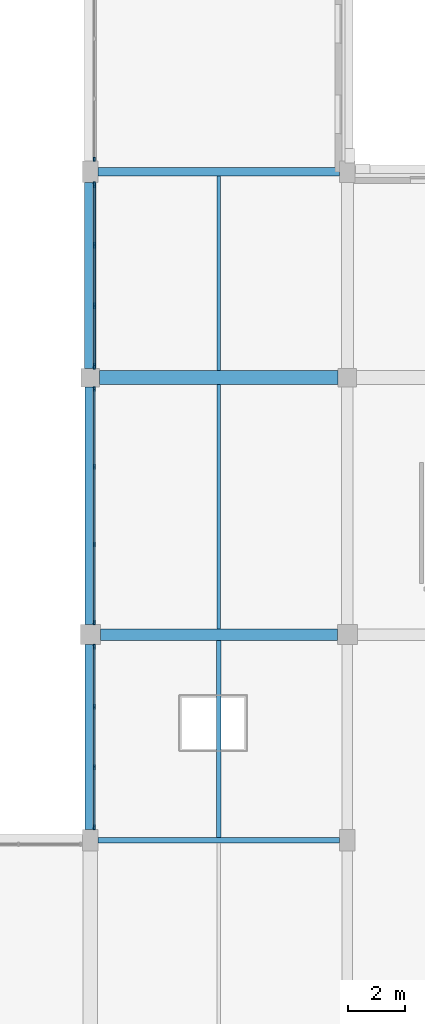
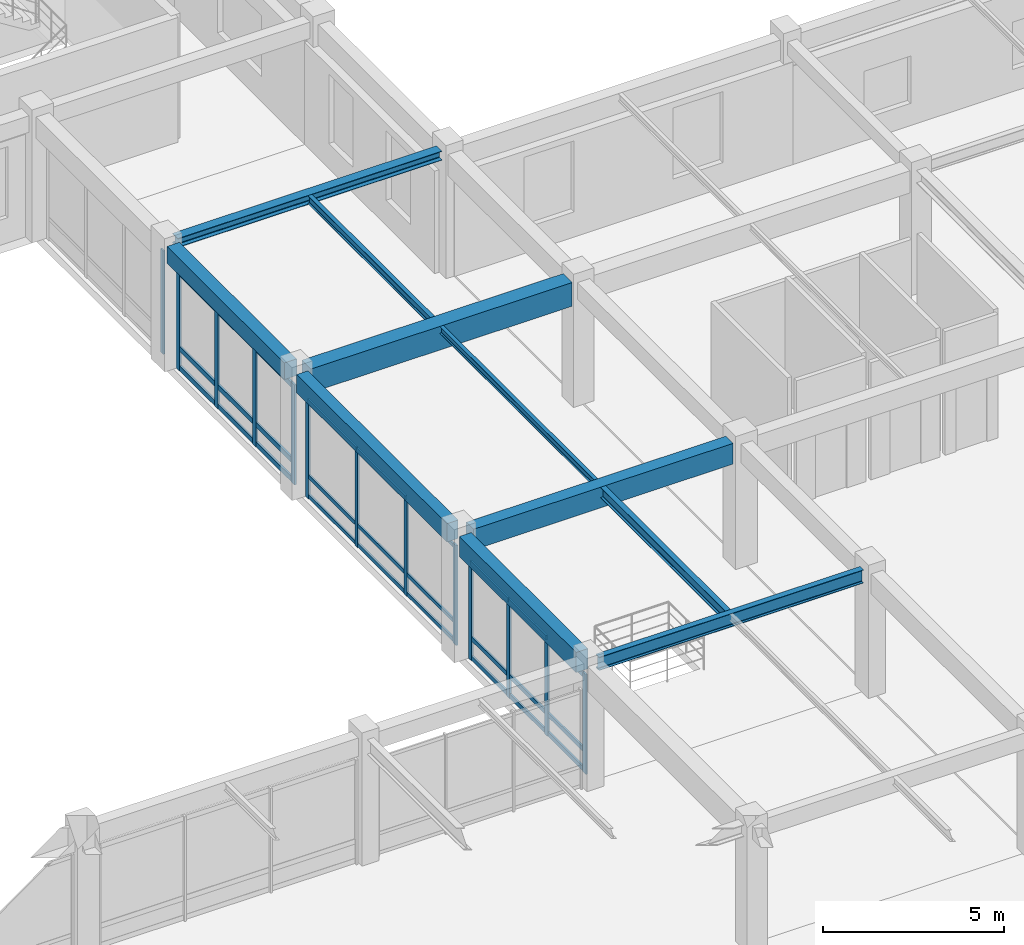
# One storey, part 14 of 62: 40 members, 10 beams, 4 elements without a shape of their own.
"""IFC4 building model written with IfcOpenShell, lengths in metres."""

from ifc_helpers import new_model, si_unit, direction, frame, origin, origin_2d, place, context, subcontext, project, spatial, rectangle, i_section, extrude, material, material_profile, profile_set, type_object, element, aggregate, save


model = new_model("IFC4")

# Units and contexts
model_context = context("Model", 3, precision=1e-05, world=origin(), true_north=direction((0.0, 1.0)))
body_context = subcontext(model_context, "Body", "Model", "MODEL_VIEW")
ifc_project = project(units=[si_unit("LENGTHUNIT", "METRE"), si_unit("AREAUNIT", "SQUARE_METRE"), si_unit("VOLUMEUNIT", "CUBIC_METRE"), si_unit("PLANEANGLEUNIT", "RADIAN"), si_unit("MASSUNIT", "GRAM", prefix="KILO")], contexts=[model_context])

# Site, building, storey
site_placement = place(None, origin())
site = spatial("IfcSite", under=ifc_project, at=site_placement, CompositionType="ELEMENT")
building_placement = place(site_placement, origin())
building = spatial("IfcBuilding", under=site, at=building_placement, Name="Clarverna Civic Hall", CompositionType="ELEMENT")
storey_placement = place(building_placement, frame((0.0, 0.0, 5.10009765625)))
storey = spatial("IfcBuildingStorey", under=building, at=storey_placement, Name="L01", CompositionType="ELEMENT", Elevation=5.10009765625)

# Beams
ifc_material_1 = material(Name="Concrete C35/45", Category="concrete")
ifc_material_profile_1 = material_profile(ifc_material_1, rectangle(XDim=0.5, YDim=0.800048828125, at=origin_2d()), Name="RC 500x800")
ifc_profile_set_1 = profile_set([ifc_material_profile_1], Name="Concrete C35/45")
beam_type_1 = type_object("IfcBeamType", Name="B-RC14", PredefinedType="BEAM", material=ifc_profile_set_1)
beam_1_placement = place(storey_placement, frame((57.925048828125, 87.800048828125, 3.77978515625), z_axis=(1.0, 0.0, 0.0), x_axis=(0.0, 1.0, 0.0)))
element("IfcBeam", 1, at=beam_1_placement, inside=storey, type_object=beam_type_1, Name="B-RC14-023", PredefinedType="BEAM", context=body_context, shape_type="SweptSolid", body=[
    extrude(rectangle(XDim=0.5, YDim=0.800048828125, at=origin_2d()), origin(), (0.0, 0.0, 1.0), 8.349853515625),
])
ifc_material_profile_2 = material_profile(ifc_material_1, rectangle(XDim=0.39990234375, YDim=0.699951171875, at=origin_2d()), Name="RC 400x700")
ifc_profile_set_2 = profile_set([ifc_material_profile_2], Name="Concrete C35/45")
beam_type_2 = type_object("IfcBeamType", Name="B-RC5", PredefinedType="BEAM", material=ifc_profile_set_2)
beam_2_placement = place(storey_placement, frame((57.949951171875, 78.800048828125, 3.829833984375), z_axis=(1.0, 0.0, 0.0), x_axis=(0.0, 1.0, 0.0)))
element("IfcBeam", 2, at=beam_2_placement, inside=storey, type_object=beam_type_2, Name="B-RC5-024", PredefinedType="BEAM", context=body_context, shape_type="SweptSolid", body=[
    extrude(rectangle(XDim=0.39990234375, YDim=0.699951171875, at=origin_2d()), origin(), (0.0, 0.0, 1.0), 8.300048828125),
])
ifc_material_profile_3 = material_profile(ifc_material_1, rectangle(XDim=0.3798828125, YDim=0.679931640625, at=origin_2d()), Name="RC 380x680")
ifc_profile_set_3 = profile_set([ifc_material_profile_3], Name="Concrete C35/45")
beam_type_3 = type_object("IfcBeamType", Name="B-SP2", PredefinedType="SPANDREL", material=ifc_profile_set_3)
beam_3_placement = place(storey_placement, frame((57.60009765625, 71.97509765625, 3.8798828125), z_axis=(0.0, 1.0, 0.0), x_axis=(-1.0, 0.0, 0.0)))
element("IfcBeam", 3, at=beam_3_placement, inside=storey, type_object=beam_type_3, Name="B-SP2-075", PredefinedType="SPANDREL", context=body_context, shape_type="SweptSolid", body=[
    extrude(rectangle(XDim=0.3798828125, YDim=0.679931640625, at=origin_2d()), origin(), (0.0, 0.0, 1.0), 6.474853515625),
])
ifc_material_profile_4 = material_profile(ifc_material_1, rectangle(XDim=0.360107421875, YDim=0.6201171875, at=origin_2d()), Name="RC 360x620")
ifc_profile_set_4 = profile_set([ifc_material_profile_4], Name="Concrete C35/45")
beam_type_4 = type_object("IfcBeamType", Name="B-SP3", PredefinedType="SPANDREL", material=ifc_profile_set_4)
beam_4_placement = place(storey_placement, frame((57.60009765625, 79.14990234375, 3.909912109375), z_axis=(0.0, 1.0, 0.0), x_axis=(-1.0, 0.0, 0.0)))
element("IfcBeam", 4, at=beam_4_placement, inside=storey, type_object=beam_type_4, Name="B-SP3-075", PredefinedType="SPANDREL", context=body_context, shape_type="SweptSolid", body=[
    extrude(rectangle(XDim=0.360107421875, YDim=0.6201171875, at=origin_2d()), origin(), (0.0, 0.0, 1.0), 8.3251953125),
])
ifc_material_profile_5 = material_profile(ifc_material_1, rectangle(XDim=0.39990234375, YDim=0.56005859375, at=origin_2d()), Name="RC 400x560")
ifc_profile_set_5 = profile_set([ifc_material_profile_5], Name="Concrete C35/45")
beam_type_5 = type_object("IfcBeamType", Name="B-SP4", PredefinedType="SPANDREL", material=ifc_profile_set_5)
beam_5_placement = place(storey_placement, frame((57.60009765625, 88.125, 3.93994140625), z_axis=(0.0, 1.0, 0.0), x_axis=(-1.0, 0.0, 0.0)))
element("IfcBeam", 5, at=beam_5_placement, inside=storey, type_object=beam_type_5, Name="B-SP4-072", PredefinedType="SPANDREL", context=body_context, shape_type="SweptSolid", body=[
    extrude(rectangle(XDim=0.39990234375, YDim=0.56005859375, at=origin_2d()), origin(), (0.0, 0.0, 1.0), 6.5),
])
ifc_material_2 = material(Name="Steel S355", Category="steel")
ifc_material_profile_6 = material_profile(ifc_material_2, i_section(OverallWidth=0.18994140625, OverallDepth=0.449951171875, WebThickness=0.009521484375, FlangeThickness=0.0146484375, FilletRadius=0.02099609375, at=origin_2d()), Name="IPE 450")
ifc_profile_set_6 = profile_set([ifc_material_profile_6], Name="Steel S355")
beam_type_6 = type_object("IfcBeamType", Name="B-ST13", PredefinedType="BEAM", material=ifc_profile_set_6)
beam_6_placement = place(storey_placement, frame((57.875, 71.60009765625, 3.954833984375), z_axis=(1.0, 0.0, 0.0), x_axis=(0.0, 1.0, 0.0)))
element("IfcBeam", 6, at=beam_6_placement, inside=storey, type_object=beam_type_6, Name="B-ST13-006", PredefinedType="BEAM", context=body_context, shape_type="SweptSolid", body=[
    extrude(i_section(OverallWidth=0.18994140625, OverallDepth=0.449951171875, WebThickness=0.009521484375, FlangeThickness=0.0146484375, FilletRadius=0.02099609375, at=origin_2d()), origin(), (0.0, 0.0, 1.0), 8.449951171875),
])
ifc_material_profile_7 = material_profile(ifc_material_2, i_section(OverallWidth=0.300048828125, OverallDepth=0.31005859375, WebThickness=0.009033203125, FlangeThickness=0.015380859375, FilletRadius=0.027099609375, at=origin_2d()), Name="HEA 320")
ifc_profile_set_7 = profile_set([ifc_material_profile_7], Name="Steel S355")
beam_type_7 = type_object("IfcBeamType", Name="B-ST9", PredefinedType="BEAM", material=ifc_profile_set_7)
beam_7_placement = place(storey_placement, frame((57.875, 95.0, 4.02490234375), z_axis=(1.0, 0.0, 0.0), x_axis=(0.0, 1.0, 0.0)))
element("IfcBeam", 7, at=beam_7_placement, inside=storey, type_object=beam_type_7, Name="B-ST9-052", PredefinedType="BEAM", context=body_context, shape_type="SweptSolid", body=[
    extrude(i_section(OverallWidth=0.300048828125, OverallDepth=0.31005859375, WebThickness=0.009033203125, FlangeThickness=0.015380859375, FilletRadius=0.027099609375, at=origin_2d()), origin(), (0.0, 0.0, 1.0), 8.449951171875),
])

# Curtain wall, members
ifc_material_3 = material(Name="Anodised Bronze Architectural Aluminium", Category="aluminium")
curtain_wall_type = type_object("IfcCurtainWallType", Name="CW-04", PredefinedType="USERDEFINED", material=ifc_material_3)
curtain_wall_1_placement = place(storey_placement, origin())
curtain_wall_1 = element("IfcCurtainWall", 8, at=curtain_wall_1_placement, inside=storey, type_object=curtain_wall_type, Name="CW-04-023", ObjectType="UNITISED CURTAIN WALL", PredefinedType="USERDEFINED")
ifc_material_profile_8 = material_profile(ifc_material_3, rectangle(XDim=0.06005859375, YDim=0.179931640625, at=origin_2d()), Name="BRONZE 60x180")
ifc_profile_set_8 = profile_set([ifc_material_profile_8], Name="Anodised Bronze Architectural Aluminium")
member_type_1 = type_object("IfcMemberType", Name="CWM-01", PredefinedType="MULLION", material=ifc_profile_set_8)
member_1_placement = place(storey_placement, frame((57.739990234375, 72.048095703125, 0.0), z_axis=(0.0, 0.0, 1.0), x_axis=(1.0, 0.0, 0.0)))
member_1 = element("IfcMember", 9, at=member_1_placement, type_object=member_type_1, Name="CWM-01-063", PredefinedType="MULLION", context=body_context, shape_type="SweptSolid", body=[
    extrude(rectangle(XDim=0.06005859375, YDim=0.179931640625, at=origin_2d()), origin(), (0.0, 0.0, 1.0), 3.369873046875),
])
member_2_placement = place(storey_placement, frame((57.739990234375, 74.15771484375, 0.0), z_axis=(0.0, 0.0, 1.0), x_axis=(1.0, 0.0, 0.0)))
member_2 = element("IfcMember", 10, at=member_2_placement, type_object=member_type_1, Name="CWM-01-064", PredefinedType="MULLION", context=body_context, shape_type="SweptSolid", body=[
    extrude(rectangle(XDim=0.06005859375, YDim=0.179931640625, at=origin_2d()), origin(), (0.0, 0.0, 1.0), 3.369873046875),
])
member_3_placement = place(storey_placement, frame((57.739990234375, 76.267333984375, 0.0), z_axis=(0.0, 0.0, 1.0), x_axis=(1.0, 0.0, 0.0)))
member_3 = element("IfcMember", 11, at=member_3_placement, type_object=member_type_1, Name="CWM-01-065", PredefinedType="MULLION", context=body_context, shape_type="SweptSolid", body=[
    extrude(rectangle(XDim=0.06005859375, YDim=0.179931640625, at=origin_2d()), origin(), (0.0, 0.0, 1.0), 3.369873046875),
])
member_4_placement = place(storey_placement, frame((57.739990234375, 78.376953125, 0.0), z_axis=(0.0, 0.0, 1.0), x_axis=(1.0, 0.0, 0.0)))
member_4 = element("IfcMember", 12, at=member_4_placement, type_object=member_type_1, Name="CWM-01-066", PredefinedType="MULLION", context=body_context, shape_type="SweptSolid", body=[
    extrude(rectangle(XDim=0.06005859375, YDim=0.179931640625, at=origin_2d()), origin(), (0.0, 0.0, 1.0), 3.369873046875),
])

curtain_wall_2_placement = place(storey_placement, origin())
curtain_wall_2 = element("IfcCurtainWall", 13, at=curtain_wall_2_placement, inside=storey, type_object=curtain_wall_type, Name="CW-04-024", ObjectType="UNITISED CURTAIN WALL", PredefinedType="USERDEFINED")
ifc_material_profile_9 = material_profile(ifc_material_3, rectangle(XDim=0.06005859375, YDim=0.159912109375, at=origin_2d()), Name="BRONZE 60x160")
ifc_profile_set_9 = profile_set([ifc_material_profile_9], Name="Anodised Bronze Architectural Aluminium")
member_type_2 = type_object("IfcMemberType", Name="CWM-02", PredefinedType="MULLION", material=ifc_profile_set_9)
member_5_placement = place(storey_placement, frame((57.739990234375, 79.222900390625, 0.0), z_axis=(0.0, 0.0, 1.0), x_axis=(1.0, 0.0, 0.0)))
member_5 = element("IfcMember", 14, at=member_5_placement, type_object=member_type_2, Name="CWM-02-075", PredefinedType="MULLION", context=body_context, shape_type="SweptSolid", body=[
    extrude(rectangle(XDim=0.06005859375, YDim=0.159912109375, at=origin_2d()), origin(), (0.0, 0.0, 1.0), 3.3798828125),
])
member_6_placement = place(storey_placement, frame((57.739990234375, 81.94921875, 0.0), z_axis=(0.0, 0.0, 1.0), x_axis=(1.0, 0.0, 0.0)))
member_6 = element("IfcMember", 15, at=member_6_placement, type_object=member_type_2, Name="CWM-02-076", PredefinedType="MULLION", context=body_context, shape_type="SweptSolid", body=[
    extrude(rectangle(XDim=0.06005859375, YDim=0.159912109375, at=origin_2d()), origin(), (0.0, 0.0, 1.0), 3.3798828125),
])
member_7_placement = place(storey_placement, frame((57.739990234375, 84.67578125, 0.0), z_axis=(0.0, 0.0, 1.0), x_axis=(1.0, 0.0, 0.0)))
member_7 = element("IfcMember", 16, at=member_7_placement, type_object=member_type_2, Name="CWM-02-077", PredefinedType="MULLION", context=body_context, shape_type="SweptSolid", body=[
    extrude(rectangle(XDim=0.06005859375, YDim=0.159912109375, at=origin_2d()), origin(), (0.0, 0.0, 1.0), 3.3798828125),
])
member_8_placement = place(storey_placement, frame((57.739990234375, 87.402099609375, 0.0), z_axis=(0.0, 0.0, 1.0), x_axis=(1.0, 0.0, 0.0)))
member_8 = element("IfcMember", 17, at=member_8_placement, type_object=member_type_2, Name="CWM-02-078", PredefinedType="MULLION", context=body_context, shape_type="SweptSolid", body=[
    extrude(rectangle(XDim=0.06005859375, YDim=0.159912109375, at=origin_2d()), origin(), (0.0, 0.0, 1.0), 3.3798828125),
])

curtain_wall_3_placement = place(storey_placement, origin())
curtain_wall_3 = element("IfcCurtainWall", 18, at=curtain_wall_3_placement, inside=storey, type_object=curtain_wall_type, Name="CW-04-025", ObjectType="UNITISED CURTAIN WALL", PredefinedType="USERDEFINED")
ifc_material_profile_10 = material_profile(ifc_material_3, rectangle(XDim=0.06494140625, YDim=0.199951171875, at=origin_2d()), Name="BRONZE 65x200")
ifc_profile_set_10 = profile_set([ifc_material_profile_10], Name="Anodised Bronze Architectural Aluminium")
member_type_3 = type_object("IfcMemberType", Name="CWM-03", PredefinedType="MULLION", material=ifc_profile_set_10)
member_9_placement = place(storey_placement, frame((57.739990234375, 88.197998046875, 0.0), z_axis=(0.0, 0.0, 1.0), x_axis=(1.0, 0.0, 0.0)))
member_9 = element("IfcMember", 19, at=member_9_placement, type_object=member_type_3, Name="CWM-03-063", PredefinedType="MULLION", context=body_context, shape_type="SweptSolid", body=[
    extrude(rectangle(XDim=0.06494140625, YDim=0.199951171875, at=origin_2d()), origin(), (0.0, 0.0, 1.0), 3.3798828125),
])
member_10_placement = place(storey_placement, frame((57.739990234375, 90.31591796875, 0.0), z_axis=(0.0, 0.0, 1.0), x_axis=(1.0, 0.0, 0.0)))
member_10 = element("IfcMember", 20, at=member_10_placement, type_object=member_type_3, Name="CWM-03-064", PredefinedType="MULLION", context=body_context, shape_type="SweptSolid", body=[
    extrude(rectangle(XDim=0.06494140625, YDim=0.199951171875, at=origin_2d()), origin(), (0.0, 0.0, 1.0), 3.3798828125),
])
member_11_placement = place(storey_placement, frame((57.739990234375, 92.43408203125, 0.0), z_axis=(0.0, 0.0, 1.0), x_axis=(1.0, 0.0, 0.0)))
member_11 = element("IfcMember", 21, at=member_11_placement, type_object=member_type_3, Name="CWM-03-065", PredefinedType="MULLION", context=body_context, shape_type="SweptSolid", body=[
    extrude(rectangle(XDim=0.06494140625, YDim=0.199951171875, at=origin_2d()), origin(), (0.0, 0.0, 1.0), 3.3798828125),
])
member_12_placement = place(storey_placement, frame((57.739990234375, 94.552001953125, 0.0), z_axis=(0.0, 0.0, 1.0), x_axis=(1.0, 0.0, 0.0)))
member_12 = element("IfcMember", 22, at=member_12_placement, type_object=member_type_3, Name="CWM-03-066", PredefinedType="MULLION", context=body_context, shape_type="SweptSolid", body=[
    extrude(rectangle(XDim=0.06494140625, YDim=0.199951171875, at=origin_2d()), origin(), (0.0, 0.0, 1.0), 3.3798828125),
])

# Curtain wall, member
curtain_wall_4_placement = place(storey_placement, origin())
curtain_wall_4 = element("IfcCurtainWall", 23, at=curtain_wall_4_placement, inside=storey, type_object=curtain_wall_type, Name="CW-04-026", ObjectType="UNITISED CURTAIN WALL", PredefinedType="USERDEFINED")
ifc_material_profile_11 = material_profile(ifc_material_3, rectangle(XDim=0.054931640625, YDim=0.139892578125, at=origin_2d()), Name="BRONZE 55x140")
ifc_profile_set_11 = profile_set([ifc_material_profile_11], Name="Anodised Bronze Architectural Aluminium")
member_type_4 = type_object("IfcMemberType", Name="CWM-04", PredefinedType="MULLION", material=ifc_profile_set_11)
member_13_placement = place(storey_placement, frame((57.739990234375, 95.447998046875, 0.0), z_axis=(0.0, 0.0, 1.0), x_axis=(1.0, 0.0, 0.0)))
member_13 = element("IfcMember", 24, at=member_13_placement, type_object=member_type_4, Name="CWM-04-077", PredefinedType="MULLION", context=body_context, shape_type="SweptSolid", body=[
    extrude(rectangle(XDim=0.054931640625, YDim=0.139892578125, at=origin_2d()), origin(), (0.0, 0.0, 1.0), 3.5),
])
aggregate(curtain_wall_4, [member_13])

# Member
ifc_material_profile_12 = material_profile(ifc_material_3, rectangle(XDim=0.06005859375, YDim=0.14990234375, at=origin_2d()), Name="BRONZE 60x150")
ifc_profile_set_12 = profile_set([ifc_material_profile_12], Name="Anodised Bronze Architectural Aluminium")
member_type_5 = type_object("IfcMemberType", Name="CWT-01", PredefinedType="USERDEFINED", material=ifc_profile_set_12)
member_14_placement = place(storey_placement, frame((57.739990234375, 72.06298828125, 0.094970703125), z_axis=(0.0, 1.0, 0.0), x_axis=(-1.0, 0.0, 0.0)))
member_14 = element("IfcMember", 25, at=member_14_placement, type_object=member_type_5, Name="CWT-01-130", ObjectType="TRANSOM", PredefinedType="USERDEFINED", context=body_context, shape_type="SweptSolid", body=[
    extrude(rectangle(XDim=0.06005859375, YDim=0.14990234375, at=origin_2d()), origin(), (0.0, 0.0, 1.0), 2.07958984375),
])

member_15_placement = place(storey_placement, frame((57.739990234375, 72.06298828125, 0.75), z_axis=(0.0, 1.0, 0.0), x_axis=(-1.0, 0.0, 0.0)))
member_15 = element("IfcMember", 26, at=member_15_placement, type_object=member_type_5, Name="CWT-01-131", ObjectType="TRANSOM", PredefinedType="USERDEFINED", context=body_context, shape_type="SweptSolid", body=[
    extrude(rectangle(XDim=0.06005859375, YDim=0.14990234375, at=origin_2d()), origin(), (0.0, 0.0, 1.0), 2.07958984375),
])

member_16_placement = place(storey_placement, frame((57.739990234375, 72.06298828125, 3.27490234375), z_axis=(0.0, 1.0, 0.0), x_axis=(-1.0, 0.0, 0.0)))
member_16 = element("IfcMember", 27, at=member_16_placement, type_object=member_type_5, Name="CWT-01-132", ObjectType="TRANSOM", PredefinedType="USERDEFINED", context=body_context, shape_type="SweptSolid", body=[
    extrude(rectangle(XDim=0.06005859375, YDim=0.14990234375, at=origin_2d()), origin(), (0.0, 0.0, 1.0), 2.07958984375),
])

member_17_placement = place(storey_placement, frame((57.739990234375, 74.172607421875, 0.094970703125), z_axis=(0.0, 1.0, 0.0), x_axis=(-1.0, 0.0, 0.0)))
member_17 = element("IfcMember", 28, at=member_17_placement, type_object=member_type_5, Name="CWT-01-133", ObjectType="TRANSOM", PredefinedType="USERDEFINED", context=body_context, shape_type="SweptSolid", body=[
    extrude(rectangle(XDim=0.06005859375, YDim=0.14990234375, at=origin_2d()), origin(), (0.0, 0.0, 1.0), 2.07958984375),
])

member_18_placement = place(storey_placement, frame((57.739990234375, 74.172607421875, 0.75), z_axis=(0.0, 1.0, 0.0), x_axis=(-1.0, 0.0, 0.0)))
member_18 = element("IfcMember", 29, at=member_18_placement, type_object=member_type_5, Name="CWT-01-134", ObjectType="TRANSOM", PredefinedType="USERDEFINED", context=body_context, shape_type="SweptSolid", body=[
    extrude(rectangle(XDim=0.06005859375, YDim=0.14990234375, at=origin_2d()), origin(), (0.0, 0.0, 1.0), 2.07958984375),
])

member_19_placement = place(storey_placement, frame((57.739990234375, 74.172607421875, 3.27490234375), z_axis=(0.0, 1.0, 0.0), x_axis=(-1.0, 0.0, 0.0)))
member_19 = element("IfcMember", 30, at=member_19_placement, type_object=member_type_5, Name="CWT-01-135", ObjectType="TRANSOM", PredefinedType="USERDEFINED", context=body_context, shape_type="SweptSolid", body=[
    extrude(rectangle(XDim=0.06005859375, YDim=0.14990234375, at=origin_2d()), origin(), (0.0, 0.0, 1.0), 2.07958984375),
])

member_20_placement = place(storey_placement, frame((57.739990234375, 76.2822265625, 0.094970703125), z_axis=(0.0, 1.0, 0.0), x_axis=(-1.0, 0.0, 0.0)))
member_20 = element("IfcMember", 31, at=member_20_placement, type_object=member_type_5, Name="CWT-01-136", ObjectType="TRANSOM", PredefinedType="USERDEFINED", context=body_context, shape_type="SweptSolid", body=[
    extrude(rectangle(XDim=0.06005859375, YDim=0.14990234375, at=origin_2d()), origin(), (0.0, 0.0, 1.0), 2.079833984375),
])

member_21_placement = place(storey_placement, frame((57.739990234375, 76.2822265625, 0.75), z_axis=(0.0, 1.0, 0.0), x_axis=(-1.0, 0.0, 0.0)))
member_21 = element("IfcMember", 32, at=member_21_placement, type_object=member_type_5, Name="CWT-01-137", ObjectType="TRANSOM", PredefinedType="USERDEFINED", context=body_context, shape_type="SweptSolid", body=[
    extrude(rectangle(XDim=0.06005859375, YDim=0.14990234375, at=origin_2d()), origin(), (0.0, 0.0, 1.0), 2.079833984375),
])

member_22_placement = place(storey_placement, frame((57.739990234375, 76.2822265625, 3.27490234375), z_axis=(0.0, 1.0, 0.0), x_axis=(-1.0, 0.0, 0.0)))
member_22 = element("IfcMember", 33, at=member_22_placement, type_object=member_type_5, Name="CWT-01-138", ObjectType="TRANSOM", PredefinedType="USERDEFINED", context=body_context, shape_type="SweptSolid", body=[
    extrude(rectangle(XDim=0.06005859375, YDim=0.14990234375, at=origin_2d()), origin(), (0.0, 0.0, 1.0), 2.079833984375),
])

aggregate(curtain_wall_1, [member_1, member_2, member_3, member_4, member_14, member_15, member_16, member_17, member_18, member_19, member_20, member_21, member_22])

ifc_material_profile_13 = material_profile(ifc_material_3, rectangle(XDim=0.06005859375, YDim=0.1298828125, at=origin_2d()), Name="BRONZE 60x130")
ifc_profile_set_13 = profile_set([ifc_material_profile_13], Name="Anodised Bronze Architectural Aluminium")
member_type_6 = type_object("IfcMemberType", Name="CWT-02", PredefinedType="USERDEFINED", material=ifc_profile_set_13)
member_23_placement = place(storey_placement, frame((57.739990234375, 79.238037109375, 0.094970703125), z_axis=(0.0, 1.0, 0.0), x_axis=(-1.0, 0.0, 0.0)))
member_23 = element("IfcMember", 34, at=member_23_placement, type_object=member_type_6, Name="CWT-02-154", ObjectType="TRANSOM", PredefinedType="USERDEFINED", context=body_context, shape_type="SweptSolid", body=[
    extrude(rectangle(XDim=0.06005859375, YDim=0.1298828125, at=origin_2d()), origin(), (0.0, 0.0, 1.0), 2.6962890625),
])

member_24_placement = place(storey_placement, frame((57.739990234375, 79.238037109375, 0.75), z_axis=(0.0, 1.0, 0.0), x_axis=(-1.0, 0.0, 0.0)))
member_24 = element("IfcMember", 35, at=member_24_placement, type_object=member_type_6, Name="CWT-02-155", ObjectType="TRANSOM", PredefinedType="USERDEFINED", context=body_context, shape_type="SweptSolid", body=[
    extrude(rectangle(XDim=0.06005859375, YDim=0.1298828125, at=origin_2d()), origin(), (0.0, 0.0, 1.0), 2.6962890625),
])

member_25_placement = place(storey_placement, frame((57.739990234375, 79.238037109375, 3.284912109375), z_axis=(0.0, 1.0, 0.0), x_axis=(-1.0, 0.0, 0.0)))
member_25 = element("IfcMember", 36, at=member_25_placement, type_object=member_type_6, Name="CWT-02-156", ObjectType="TRANSOM", PredefinedType="USERDEFINED", context=body_context, shape_type="SweptSolid", body=[
    extrude(rectangle(XDim=0.06005859375, YDim=0.1298828125, at=origin_2d()), origin(), (0.0, 0.0, 1.0), 2.6962890625),
])

member_26_placement = place(storey_placement, frame((57.739990234375, 81.96435546875, 0.094970703125), z_axis=(0.0, 1.0, 0.0), x_axis=(-1.0, 0.0, 0.0)))
member_26 = element("IfcMember", 37, at=member_26_placement, type_object=member_type_6, Name="CWT-02-157", ObjectType="TRANSOM", PredefinedType="USERDEFINED", context=body_context, shape_type="SweptSolid", body=[
    extrude(rectangle(XDim=0.06005859375, YDim=0.1298828125, at=origin_2d()), origin(), (0.0, 0.0, 1.0), 2.6962890625),
])

member_27_placement = place(storey_placement, frame((57.739990234375, 81.96435546875, 0.75), z_axis=(0.0, 1.0, 0.0), x_axis=(-1.0, 0.0, 0.0)))
member_27 = element("IfcMember", 38, at=member_27_placement, type_object=member_type_6, Name="CWT-02-158", ObjectType="TRANSOM", PredefinedType="USERDEFINED", context=body_context, shape_type="SweptSolid", body=[
    extrude(rectangle(XDim=0.06005859375, YDim=0.1298828125, at=origin_2d()), origin(), (0.0, 0.0, 1.0), 2.6962890625),
])

member_28_placement = place(storey_placement, frame((57.739990234375, 81.96435546875, 3.284912109375), z_axis=(0.0, 1.0, 0.0), x_axis=(-1.0, 0.0, 0.0)))
member_28 = element("IfcMember", 39, at=member_28_placement, type_object=member_type_6, Name="CWT-02-159", ObjectType="TRANSOM", PredefinedType="USERDEFINED", context=body_context, shape_type="SweptSolid", body=[
    extrude(rectangle(XDim=0.06005859375, YDim=0.1298828125, at=origin_2d()), origin(), (0.0, 0.0, 1.0), 2.6962890625),
])

member_29_placement = place(storey_placement, frame((57.739990234375, 84.690673828125, 0.094970703125), z_axis=(0.0, 1.0, 0.0), x_axis=(-1.0, 0.0, 0.0)))
member_29 = element("IfcMember", 40, at=member_29_placement, type_object=member_type_6, Name="CWT-02-160", ObjectType="TRANSOM", PredefinedType="USERDEFINED", context=body_context, shape_type="SweptSolid", body=[
    extrude(rectangle(XDim=0.06005859375, YDim=0.1298828125, at=origin_2d()), origin(), (0.0, 0.0, 1.0), 2.6962890625),
])

member_30_placement = place(storey_placement, frame((57.739990234375, 84.690673828125, 0.75), z_axis=(0.0, 1.0, 0.0), x_axis=(-1.0, 0.0, 0.0)))
member_30 = element("IfcMember", 41, at=member_30_placement, type_object=member_type_6, Name="CWT-02-161", ObjectType="TRANSOM", PredefinedType="USERDEFINED", context=body_context, shape_type="SweptSolid", body=[
    extrude(rectangle(XDim=0.06005859375, YDim=0.1298828125, at=origin_2d()), origin(), (0.0, 0.0, 1.0), 2.6962890625),
])

member_31_placement = place(storey_placement, frame((57.739990234375, 84.690673828125, 3.284912109375), z_axis=(0.0, 1.0, 0.0), x_axis=(-1.0, 0.0, 0.0)))
member_31 = element("IfcMember", 42, at=member_31_placement, type_object=member_type_6, Name="CWT-02-162", ObjectType="TRANSOM", PredefinedType="USERDEFINED", context=body_context, shape_type="SweptSolid", body=[
    extrude(rectangle(XDim=0.06005859375, YDim=0.1298828125, at=origin_2d()), origin(), (0.0, 0.0, 1.0), 2.6962890625),
])

aggregate(curtain_wall_2, [member_5, member_6, member_7, member_8, member_23, member_24, member_25, member_26, member_27, member_28, member_29, member_30, member_31])

ifc_material_profile_14 = material_profile(ifc_material_3, rectangle(XDim=0.06494140625, YDim=0.169921875, at=origin_2d()), Name="BRONZE 65x170")
ifc_profile_set_14 = profile_set([ifc_material_profile_14], Name="Anodised Bronze Architectural Aluminium")
member_type_7 = type_object("IfcMemberType", Name="CWT-03", PredefinedType="USERDEFINED", material=ifc_profile_set_14)
member_32_placement = place(storey_placement, frame((57.739990234375, 88.212890625, 0.094970703125), z_axis=(0.0, 1.0, 0.0), x_axis=(-1.0, 0.0, 0.0)))
member_32 = element("IfcMember", 43, at=member_32_placement, type_object=member_type_7, Name="CWT-03-130", ObjectType="TRANSOM", PredefinedType="USERDEFINED", context=body_context, shape_type="SweptSolid", body=[
    extrude(rectangle(XDim=0.06494140625, YDim=0.169921875, at=origin_2d()), origin(), (0.0, 0.0, 1.0), 2.088134765625),
])

member_33_placement = place(storey_placement, frame((57.739990234375, 88.212890625, 0.75), z_axis=(0.0, 1.0, 0.0), x_axis=(-1.0, 0.0, 0.0)))
member_33 = element("IfcMember", 44, at=member_33_placement, type_object=member_type_7, Name="CWT-03-131", ObjectType="TRANSOM", PredefinedType="USERDEFINED", context=body_context, shape_type="SweptSolid", body=[
    extrude(rectangle(XDim=0.06494140625, YDim=0.169921875, at=origin_2d()), origin(), (0.0, 0.0, 1.0), 2.088134765625),
])

member_34_placement = place(storey_placement, frame((57.739990234375, 88.212890625, 3.284912109375), z_axis=(0.0, 1.0, 0.0), x_axis=(-1.0, 0.0, 0.0)))
member_34 = element("IfcMember", 45, at=member_34_placement, type_object=member_type_7, Name="CWT-03-132", ObjectType="TRANSOM", PredefinedType="USERDEFINED", context=body_context, shape_type="SweptSolid", body=[
    extrude(rectangle(XDim=0.06494140625, YDim=0.169921875, at=origin_2d()), origin(), (0.0, 0.0, 1.0), 2.088134765625),
])

member_35_placement = place(storey_placement, frame((57.739990234375, 90.3310546875, 0.094970703125), z_axis=(0.0, 1.0, 0.0), x_axis=(-1.0, 0.0, 0.0)))
member_35 = element("IfcMember", 46, at=member_35_placement, type_object=member_type_7, Name="CWT-03-133", ObjectType="TRANSOM", PredefinedType="USERDEFINED", context=body_context, shape_type="SweptSolid", body=[
    extrude(rectangle(XDim=0.06494140625, YDim=0.169921875, at=origin_2d()), origin(), (0.0, 0.0, 1.0), 2.087890625),
])

member_36_placement = place(storey_placement, frame((57.739990234375, 90.3310546875, 0.75), z_axis=(0.0, 1.0, 0.0), x_axis=(-1.0, 0.0, 0.0)))
member_36 = element("IfcMember", 47, at=member_36_placement, type_object=member_type_7, Name="CWT-03-134", ObjectType="TRANSOM", PredefinedType="USERDEFINED", context=body_context, shape_type="SweptSolid", body=[
    extrude(rectangle(XDim=0.06494140625, YDim=0.169921875, at=origin_2d()), origin(), (0.0, 0.0, 1.0), 2.087890625),
])

member_37_placement = place(storey_placement, frame((57.739990234375, 90.3310546875, 3.284912109375), z_axis=(0.0, 1.0, 0.0), x_axis=(-1.0, 0.0, 0.0)))
member_37 = element("IfcMember", 48, at=member_37_placement, type_object=member_type_7, Name="CWT-03-135", ObjectType="TRANSOM", PredefinedType="USERDEFINED", context=body_context, shape_type="SweptSolid", body=[
    extrude(rectangle(XDim=0.06494140625, YDim=0.169921875, at=origin_2d()), origin(), (0.0, 0.0, 1.0), 2.087890625),
])

member_38_placement = place(storey_placement, frame((57.739990234375, 92.448974609375, 0.094970703125), z_axis=(0.0, 1.0, 0.0), x_axis=(-1.0, 0.0, 0.0)))
member_38 = element("IfcMember", 49, at=member_38_placement, type_object=member_type_7, Name="CWT-03-136", ObjectType="TRANSOM", PredefinedType="USERDEFINED", context=body_context, shape_type="SweptSolid", body=[
    extrude(rectangle(XDim=0.06494140625, YDim=0.169921875, at=origin_2d()), origin(), (0.0, 0.0, 1.0), 2.088134765625),
])

member_39_placement = place(storey_placement, frame((57.739990234375, 92.448974609375, 0.75), z_axis=(0.0, 1.0, 0.0), x_axis=(-1.0, 0.0, 0.0)))
member_39 = element("IfcMember", 50, at=member_39_placement, type_object=member_type_7, Name="CWT-03-137", ObjectType="TRANSOM", PredefinedType="USERDEFINED", context=body_context, shape_type="SweptSolid", body=[
    extrude(rectangle(XDim=0.06494140625, YDim=0.169921875, at=origin_2d()), origin(), (0.0, 0.0, 1.0), 2.088134765625),
])

member_40_placement = place(storey_placement, frame((57.739990234375, 92.448974609375, 3.284912109375), z_axis=(0.0, 1.0, 0.0), x_axis=(-1.0, 0.0, 0.0)))
member_40 = element("IfcMember", 51, at=member_40_placement, type_object=member_type_7, Name="CWT-03-138", ObjectType="TRANSOM", PredefinedType="USERDEFINED", context=body_context, shape_type="SweptSolid", body=[
    extrude(rectangle(XDim=0.06494140625, YDim=0.169921875, at=origin_2d()), origin(), (0.0, 0.0, 1.0), 2.088134765625),
])

aggregate(curtain_wall_3, [member_9, member_10, member_11, member_12, member_32, member_33, member_34, member_35, member_36, member_37, member_38, member_39, member_40])

# Beams
ifc_material_profile_15 = material_profile(ifc_material_2, i_section(OverallWidth=0.169921875, OverallDepth=0.360107421875, WebThickness=0.008056640625, FlangeThickness=0.0126953125, FilletRadius=0.01806640625, at=origin_2d()), Name="IPE 360")
ifc_profile_set_15 = profile_set([ifc_material_profile_15], Name="Steel S355")
beam_type_8 = type_object("IfcBeamType", Name="J-ST1", PredefinedType="JOIST", material=ifc_profile_set_15)
beam_8_placement = place(storey_placement, frame((62.10009765625, 71.695068359375, 4.0), z_axis=(0.0, 1.0, 0.0), x_axis=(-1.0, 0.0, 0.0)))
element("IfcBeam", 52, at=beam_8_placement, inside=storey, type_object=beam_type_8, Name="J-ST1-041", PredefinedType="JOIST", context=body_context, shape_type="SweptSolid", body=[
    extrude(i_section(OverallWidth=0.169921875, OverallDepth=0.360107421875, WebThickness=0.008056640625, FlangeThickness=0.0126953125, FilletRadius=0.01806640625, at=origin_2d()), origin(), (0.0, 0.0, 1.0), 6.905029296875),
])
ifc_material_profile_16 = material_profile(ifc_material_2, i_section(OverallWidth=0.135009765625, OverallDepth=0.27001953125, WebThickness=0.006591796875, FlangeThickness=0.01025390625, FilletRadius=0.014892578125, at=origin_2d()), Name="IPE 270")
ifc_profile_set_16 = profile_set([ifc_material_profile_16], Name="Steel S355")
beam_type_9 = type_object("IfcBeamType", Name="J-ST4", PredefinedType="JOIST", material=ifc_profile_set_16)
beam_9_placement = place(storey_placement, frame((62.10009765625, 88.050048828125, 4.044921875), z_axis=(0.0, 1.0, 0.0), x_axis=(-1.0, 0.0, 0.0)))
element("IfcBeam", 53, at=beam_9_placement, inside=storey, type_object=beam_type_9, Name="J-ST4-044", PredefinedType="JOIST", context=body_context, shape_type="SweptSolid", body=[
    extrude(i_section(OverallWidth=0.135009765625, OverallDepth=0.27001953125, WebThickness=0.006591796875, FlangeThickness=0.01025390625, FilletRadius=0.014892578125, at=origin_2d()), origin(), (0.0, 0.0, 1.0), 6.800048828125),
])
ifc_material_profile_17 = material_profile(ifc_material_2, i_section(OverallWidth=0.1201171875, OverallDepth=0.239990234375, WebThickness=0.006103515625, FlangeThickness=0.009765625, FilletRadius=0.014892578125, at=origin_2d()), Name="IPE 240")
ifc_profile_set_17 = profile_set([ifc_material_profile_17], Name="Steel S355")
beam_type_10 = type_object("IfcBeamType", Name="J-ST5", PredefinedType="JOIST", material=ifc_profile_set_17)
beam_10_placement = place(storey_placement, frame((62.10009765625, 79.0, 4.059814453125), z_axis=(0.0, 1.0, 0.0), x_axis=(-1.0, 0.0, 0.0)))
element("IfcBeam", 54, at=beam_10_placement, inside=storey, type_object=beam_type_10, Name="J-ST5-041", PredefinedType="JOIST", context=body_context, shape_type="SweptSolid", body=[
    extrude(i_section(OverallWidth=0.1201171875, OverallDepth=0.239990234375, WebThickness=0.006103515625, FlangeThickness=0.009765625, FilletRadius=0.014892578125, at=origin_2d()), origin(), (0.0, 0.0, 1.0), 8.550048828125),
])

save(model, "model.ifc")
